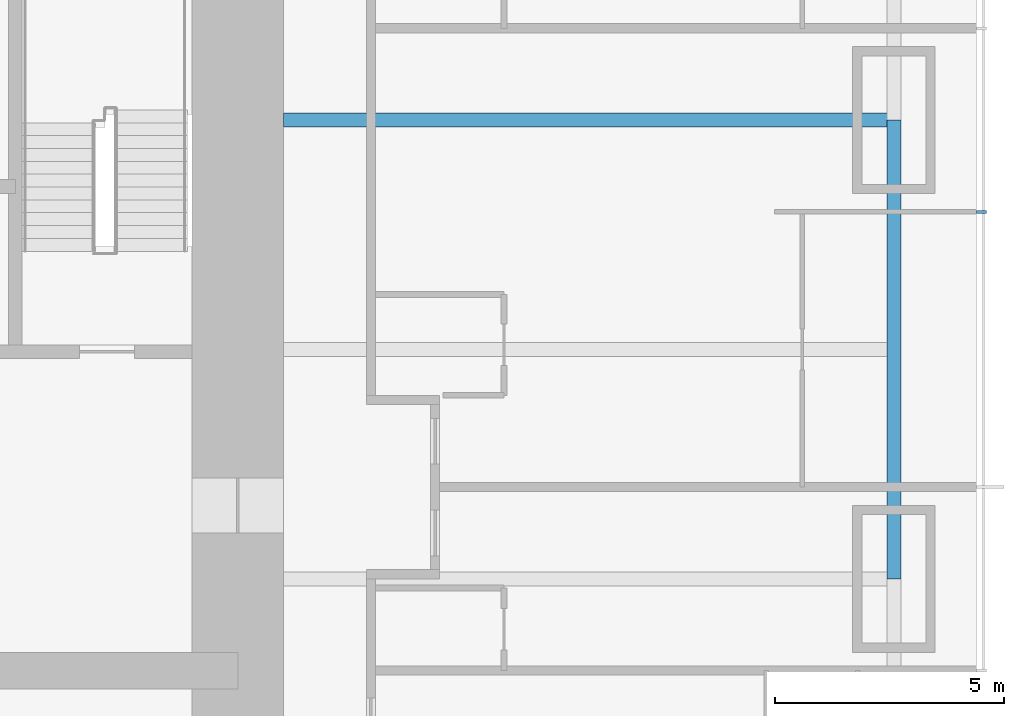
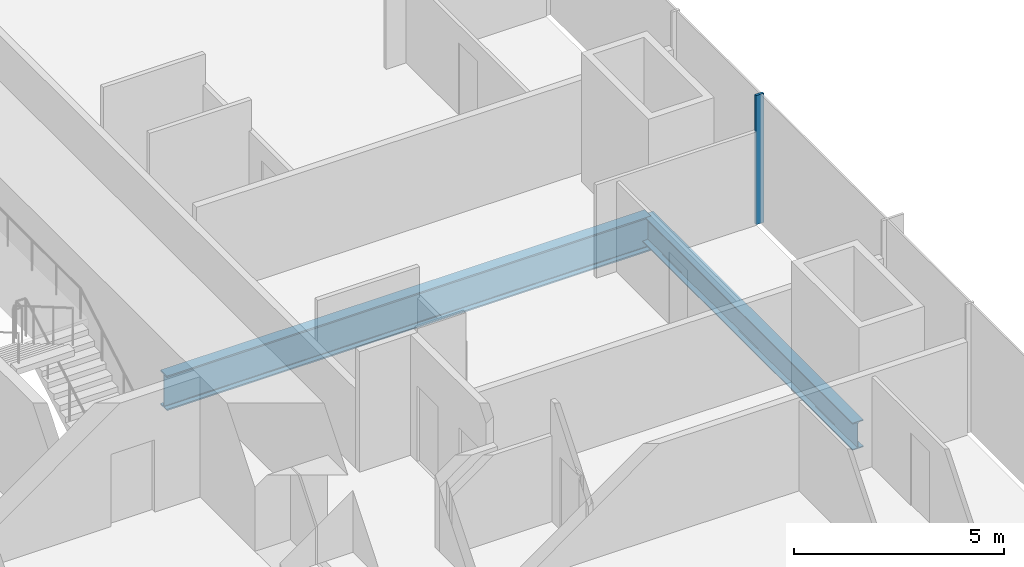
# One storey, part 5 of 17: 2 beams, 1 member, 1 element without a shape of its own.
"""IFC4 building model written with IfcOpenShell, lengths in metres."""

import ifcopenshell
import ifcopenshell.guid

model = None  # the IFC model being written
_history = None  # IfcOwnerHistory: only IFC2X3 demands one
_inside = {}  # id of a spatial element -> (the spatial element, [elements in it])
_under = {}  # id of a project, library or spatial element -> (it, [spatial elements below it])
_declared = {}  # id of a project -> (the project, [libraries it declares])
_typed = {}  # id of a type object -> (the type object, [elements of that type])
_made_of = {}  # id of a material, layer set ... -> (it, [elements and type objects made of it])


def new_model(schema):
    """Start an empty IFC model of exactly this schema.

    Asked for "IFC4X3", IfcOpenShell would pick the latest addendum, in which some entities
    have other attributes; the version numbers below select the first issue.
    IFC2X3 requires an IfcOwnerHistory on every rooted entity: one is made here for all.
    """
    global model, _history
    if schema == "IFC4X3":
        model = ifcopenshell.file(schema_version=(4, 3, 0, 0))
    else:
        model = ifcopenshell.file(schema=schema)
    _inside.clear()
    _under.clear()
    _declared.clear()
    _typed.clear()
    _made_of.clear()
    _history = None
    if model.schema == "IFC2X3":
        org = make("IfcOrganization", Name="unknown")
        user = make(
            "IfcPersonAndOrganization",
            ThePerson=make("IfcPerson", FamilyName="unknown"),
            TheOrganization=org,
        )
        app = make(
            "IfcApplication",
            ApplicationDeveloper=org,
            Version="unknown",
            ApplicationFullName="unknown",
            ApplicationIdentifier="unknown",
        )
        _history = make(
            "IfcOwnerHistory",
            OwningUser=user,
            OwningApplication=app,
            ChangeAction="ADDED",
            CreationDate=0,
        )
    return model


def make(cls, **values):
    """One entity of the class cls with the attributes given. An attribute that is None is left unset."""
    return model.create_entity(
        cls, **{name: value for name, value in values.items() if value is not None}
    )


def rooted(cls, **values):
    """An entity with a GlobalId (a new one), such as an element, a storey or a relation."""
    return make(cls, GlobalId=ifcopenshell.guid.new(), OwnerHistory=_history, **values)


def si_unit(unit_type, name, prefix=None):
    """IfcSIUnit, for example si_unit("LENGTHUNIT", "METRE", prefix="MILLI")."""
    return make("IfcSIUnit", UnitType=unit_type, Prefix=prefix, Name=name)


def assignment(units):
    """IfcUnitAssignment: the units of a project."""
    return None if units is None else make("IfcUnitAssignment", Units=units)


def point(xyz):
    """IfcCartesianPoint."""
    return None if xyz is None else make("IfcCartesianPoint", Coordinates=xyz)


def direction(xyz):
    """IfcDirection."""
    return None if xyz is None else make("IfcDirection", DirectionRatios=xyz)


def frame(location, z_axis=None, x_axis=None):
    """IfcAxis2Placement3D, a coordinate frame: its origin and axes. An axis left out is left unset."""
    return make(
        "IfcAxis2Placement3D",
        Location=point(location),
        Axis=direction(z_axis),
        RefDirection=direction(x_axis),
    )


def frame_2d(location, x_axis=None):
    """IfcAxis2Placement2D, a coordinate frame in the plane: its origin and x axis."""
    return make(
        "IfcAxis2Placement2D", Location=point(location), RefDirection=direction(x_axis)
    )


def origin():
    """The frame at (0, 0, 0) with its axes left unset."""
    return frame((0.0, 0.0, 0.0))


def origin_2d():
    """The frame at (0, 0) in the plane with its x axis left unset."""
    return frame_2d((0.0, 0.0))


def place(relative_to, where):
    """IfcLocalPlacement: puts the frame where relative to a parent placement (None: the world)."""
    return make(
        "IfcLocalPlacement", PlacementRelTo=relative_to, RelativePlacement=where
    )


def context(
    kind, dimensions, precision=None, world=None, true_north=None, identifier=None
):
    """IfcGeometricRepresentationContext, for example the 3D "Model" context."""
    return make(
        "IfcGeometricRepresentationContext",
        ContextIdentifier=identifier,
        ContextType=kind,
        CoordinateSpaceDimension=dimensions,
        Precision=precision,
        WorldCoordinateSystem=world,
        TrueNorth=true_north,
    )


def subcontext(parent, identifier, kind, view, scale=None):
    """IfcGeometricRepresentationSubContext, for example "Body" below "Model"."""
    return make(
        "IfcGeometricRepresentationSubContext",
        ContextIdentifier=identifier,
        ContextType=kind,
        ParentContext=parent,
        TargetScale=scale,
        TargetView=view,
    )


def project(units=None, contexts=None):
    """IfcProject with its units and contexts."""
    return rooted(
        "IfcProject",
        Name="project",
        RepresentationContexts=contexts,
        UnitsInContext=assignment(units),
    )


def spatial(cls, under=None, at=None, **own):
    """A site, building, storey or space (cls), placed at a placement, below another one or the project."""
    s = rooted(cls, ObjectPlacement=at, **own)
    if under is not None:
        _under.setdefault(under.id(), (under, []))[1].append(s)
    return s


def profile(cls, at=None, kind="AREA", **sizes):
    """A parametric profile (cls). Its sizes go by their IFC names, for example OverallWidth=200.0."""
    return make(cls, ProfileType=kind, Position=at, **sizes)


def rectangle(**sizes):
    """IfcRectangleProfileDef."""
    return profile("IfcRectangleProfileDef", **sizes)


def i_section(**sizes):
    """IfcIShapeProfileDef."""
    return profile("IfcIShapeProfileDef", **sizes)


def extrude(swept, where, along, depth):
    """IfcExtrudedAreaSolid: the profile swept, set in the frame where, extruded along a direction by depth."""
    return make(
        "IfcExtrudedAreaSolid",
        SweptArea=swept,
        Position=where,
        ExtrudedDirection=direction(along),
        Depth=depth,
    )


def shape(context_of_items, identifier, shape_type, items):
    """IfcShapeRepresentation: the items that make up one representation, for example the "Body"."""
    return make(
        "IfcShapeRepresentation",
        ContextOfItems=context_of_items,
        RepresentationIdentifier=identifier,
        RepresentationType=shape_type,
        Items=items,
    )


def material(Name=None, Category=None):
    """IfcMaterial."""
    return make("IfcMaterial", Name=Name, Category=Category)


def material_profile(
    of_material, cross_section, Name=None, Category=None, Priority=None
):
    """IfcMaterialProfile: a cross section and its material."""
    return make(
        "IfcMaterialProfile",
        Name=Name,
        Material=of_material,
        Profile=cross_section,
        Priority=Priority,
        Category=Category,
    )


def profile_set(profiles, Name=None, composite=None):
    """IfcMaterialProfileSet."""
    return make(
        "IfcMaterialProfileSet",
        Name=Name,
        MaterialProfiles=profiles,
        CompositeProfile=composite,
    )


def made_of(thing, what):
    """Note that an element or type object is made of a material, layer set ...; save() writes the relation."""
    if what is not None:
        _made_of.setdefault(what.id(), (what, []))[1].append(thing)
    return thing


def type_object(cls, material=None, **own):
    """A type object (cls), such as IfcWallType, which elements share."""
    return made_of(rooted(cls, **own), material)


def element(
    cls,
    number,
    at=None,
    inside=None,
    cuts=None,
    type_object=None,
    material=None,
    context=None,
    identifier="Body",
    shape_type=None,
    held_by="IfcProductDefinitionShape",
    body=None,
    shapes=None,
    **own,
):
    """One element of the class cls, such as IfcWall. Its Tag is "e" and its number.

    at: its placement. inside: the storey or other place that contains it. cuts: it is an
    opening in that element (IfcRelVoidsElement). A single representation is given by context,
    identifier, shape_type and body (its items); several are given by shapes. held_by: the class
    of the entity that holds the representations. save() writes the other relations.
    """
    e = rooted(cls, Tag="e%d" % number, ObjectPlacement=at, **own)
    if body is not None:
        shapes = [shape(context, identifier, shape_type, body)]
    if shapes is not None:
        e.Representation = make(held_by, Representations=shapes)
    if inside is not None:
        _inside.setdefault(inside.id(), (inside, []))[1].append(e)
    if cuts is not None:
        rooted(
            "IfcRelVoidsElement", RelatingBuildingElement=cuts, RelatedOpeningElement=e
        )
    if type_object is not None:
        _typed.setdefault(type_object.id(), (type_object, []))[1].append(e)
    return made_of(e, material)


def aggregate(whole, parts):
    """IfcRelAggregates: a whole, such as a stair, and the parts it consists of."""
    return rooted("IfcRelAggregates", RelatingObject=whole, RelatedObjects=parts)


def save(model, path):
    """Write the relations noted so far, then the file.

    IfcRelAggregates (storeys below a building ...), IfcRelContainedInSpatialStructure (elements
    in a storey), IfcRelDefinesByType, IfcRelAssociatesMaterial and IfcRelDeclares: one each for
    every whole, place, type object, material and project.
    """
    for whole, parts in _under.values():
        aggregate(whole, parts)
    for where, things in _inside.values():
        rooted(
            "IfcRelContainedInSpatialStructure",
            RelatedElements=things,
            RelatingStructure=where,
        )
    for kind, things in _typed.values():
        rooted("IfcRelDefinesByType", RelatedObjects=things, RelatingType=kind)
    for what, things in _made_of.values():
        rooted("IfcRelAssociatesMaterial", RelatedObjects=things, RelatingMaterial=what)
    for by, libraries in _declared.values():
        rooted("IfcRelDeclares", RelatingContext=by, RelatedDefinitions=libraries)
    model.write(path)


model = new_model("IFC4")

# Units and contexts
model_context = context("Model", 3, precision=1e-05, world=origin(), true_north=direction((0.0, 1.0)))
body_context = subcontext(model_context, "Body", "Model", "MODEL_VIEW")
ifc_project = project(units=[si_unit("LENGTHUNIT", "METRE"), si_unit("AREAUNIT", "SQUARE_METRE"), si_unit("VOLUMEUNIT", "CUBIC_METRE"), si_unit("PLANEANGLEUNIT", "RADIAN"), si_unit("MASSUNIT", "GRAM", prefix="KILO")], contexts=[model_context])

# Site, building, storey
site_placement = place(None, origin())
site = spatial("IfcSite", under=ifc_project, at=site_placement, CompositionType="ELEMENT")
building_placement = place(site_placement, origin())
building = spatial("IfcBuilding", under=site, at=building_placement, Name="Khuree Lantern Residences", CompositionType="ELEMENT")
storey_placement = place(building_placement, frame((0.0, 0.0, 47.25)))
storey = spatial("IfcBuildingStorey", under=building, at=storey_placement, Name="L11", CompositionType="ELEMENT", Elevation=47.25)

# Beams
ifc_material_1 = material(Name="Steel S355", Category="steel")
ifc_material_profile_1 = material_profile(ifc_material_1, i_section(OverallWidth=0.300048828125, OverallDepth=0.7900390625, WebThickness=0.014892578125, FlangeThickness=0.028076171875, FilletRadius=0.030029296875, at=origin_2d()), Name="HE 800 A")
ifc_profile_set_1 = profile_set([ifc_material_profile_1], Name="Steel S355")
beam_type_1 = type_object("IfcBeamType", Name="E-12 SPANDREL BEAM HE 800 A", PredefinedType="SPANDREL", material=ifc_profile_set_1)
beam_1_placement = place(storey_placement, frame((29.800048828125, 0.0, -0.64501953125), z_axis=(0.0, -1.0, 0.0), x_axis=(1.0, 0.0, 0.0)))
element("IfcBeam", 1, at=beam_1_placement, inside=storey, type_object=beam_type_1, Name="Spandrel beam E4", PredefinedType="SPANDREL", context=body_context, shape_type="SweptSolid", body=[
    extrude(i_section(OverallWidth=0.300048828125, OverallDepth=0.7900390625, WebThickness=0.014892578125, FlangeThickness=0.028076171875, FilletRadius=0.030029296875, at=origin_2d()), origin(), (0.0, 0.0, 1.0), 10.0),
])
ifc_material_profile_2 = material_profile(ifc_material_1, i_section(OverallWidth=0.302001953125, OverallDepth=1.008056640625, WebThickness=0.02099609375, FlangeThickness=0.0400390625, FilletRadius=0.030029296875, at=origin_2d()), Name="HE 1000 M")
ifc_profile_set_2 = profile_set([ifc_material_profile_2], Name="Steel S355")
beam_type_2 = type_object("IfcBeamType", Name="G-12 GIRDER HE 1000 M", PredefinedType="BEAM", material=ifc_profile_set_2)
beam_2_placement = place(storey_placement, frame((29.800048828125, 0.0, -0.75390625), z_axis=(-1.0, 0.0, 0.0), x_axis=(0.0, -1.0, 0.0)))
element("IfcBeam", 2, at=beam_2_placement, inside=storey, type_object=beam_type_2, Name="Girder E3", PredefinedType="BEAM", context=body_context, shape_type="SweptSolid", body=[
    extrude(i_section(OverallWidth=0.302001953125, OverallDepth=1.008056640625, WebThickness=0.02099609375, FlangeThickness=0.0400390625, FilletRadius=0.030029296875, at=origin_2d()), origin(), (0.0, 0.0, 1.0), 13.300048828125),
])

# Curtain wall, member
ifc_material_2 = material(Name="Bronze anodised aluminium", Category="aluminium")
curtain_wall_type = type_object("IfcCurtainWallType", Name="CW-T1 TOWER FACE CURTAIN WALL", PredefinedType="USERDEFINED", material=ifc_material_2)
curtain_wall_placement = place(storey_placement, origin())
curtain_wall = element("IfcCurtainWall", 3, at=curtain_wall_placement, inside=storey, type_object=curtain_wall_type, Name="L11 EAST FACE CURTAIN WALL", ObjectType="Stick-built curtain wall", PredefinedType="USERDEFINED")
ifc_material_profile_3 = material_profile(ifc_material_2, rectangle(XDim=0.06494140625, YDim=0.219970703125, at=origin_2d()), Name="M1 65X220")
ifc_profile_set_3 = profile_set([ifc_material_profile_3], Name="Bronze anodised aluminium")
member_type = type_object("IfcMemberType", Name="M1 BRONZE MULLION TOWER 65X220", PredefinedType="MULLION", material=ifc_profile_set_3)
member_placement = place(storey_placement, frame((31.7099609375, -2.0, 0.0), z_axis=(0.0, 0.0, 1.0), x_axis=(0.0, 1.0, 0.0)))
member = element("IfcMember", 4, at=member_placement, type_object=member_type, Name="L11 EAST FACE MULLION 9", PredefinedType="MULLION", context=body_context, shape_type="SweptSolid", body=[
    extrude(rectangle(XDim=0.06494140625, YDim=0.219970703125, at=origin_2d()), origin(), (0.0, 0.0, 1.0), 3.75),
])
aggregate(curtain_wall, [member])

save(model, "model.ifc")
